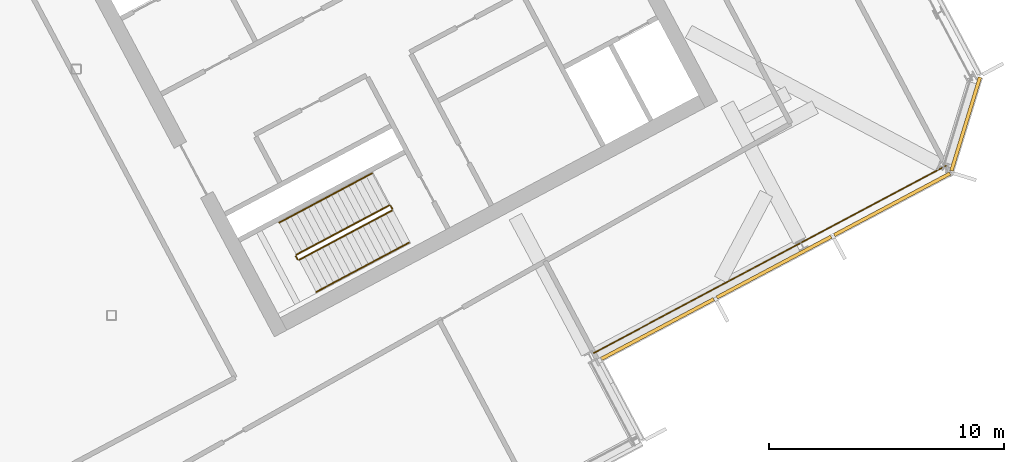
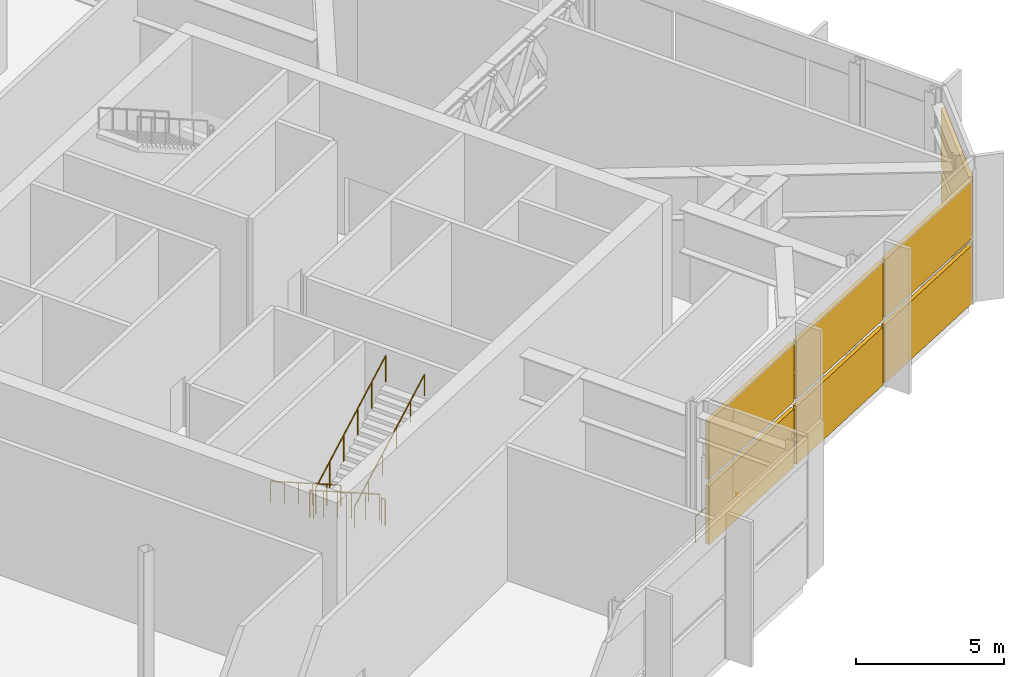
# One storey, part 30 of 33: 8 shading devices, 7 railings, 2 elements without a shape of their own.
"""IFC4 building model written with IfcOpenShell, lengths in metres."""

from ifc_helpers import new_model, si_unit, direction, frame, origin, origin_2d, place, context, subcontext, project, spatial, polyline, rectangle, outline, extrude, material, layer, layer_set, type_object, element, aggregate, save


model = new_model("IFC4")

# Units and contexts
model_context = context("Model", 3, precision=1e-05, world=origin(), true_north=direction((0.0, 1.0)))
body_context = subcontext(model_context, "Body", "Model", "MODEL_VIEW")
ifc_project = project(units=[si_unit("LENGTHUNIT", "METRE"), si_unit("AREAUNIT", "SQUARE_METRE"), si_unit("VOLUMEUNIT", "CUBIC_METRE"), si_unit("PLANEANGLEUNIT", "RADIAN"), si_unit("MASSUNIT", "GRAM", prefix="KILO")], contexts=[model_context])

# Site, building, storey
site_placement = place(None, origin())
site = spatial("IfcSite", under=ifc_project, at=site_placement, CompositionType="ELEMENT")
building_placement = place(site_placement, origin())
building = spatial("IfcBuilding", under=site, at=building_placement, Name="Cormorant Relay Tower", CompositionType="ELEMENT")
storey_placement = place(building_placement, frame((0.0, 0.0, 252.0)))
storey = spatial("IfcBuildingStorey", under=building, at=storey_placement, Name="L56", CompositionType="ELEMENT", Elevation=252.0)

# Railing
ifc_material_1 = material(Name="Stainless steel 316 guard", Category="steel")
railing_type_1 = type_object("IfcRailingType", Name="Band louvre guard 1100", PredefinedType="GUARDRAIL", material=ifc_material_1)
railing_1_placement = place(storey_placement, frame((32.562744140625, -1.60009765625, 0.0)))
element("IfcRailing", 1, at=railing_1_placement, inside=storey, type_object=railing_type_1, Name="CW4 guard 4", PredefinedType="GUARDRAIL", context=body_context, shape_type="SweptSolid", body=[
    extrude(outline(polyline([(0.022216796875, 0.00927734375), (0.00927734375, 0.022216796875), (-0.00927734375, 0.022216796875), (-0.022216796875, 0.00927734375), (-0.022216796875, -0.00927734375), (-0.00927734375, -0.022216796875), (0.00927734375, -0.022216796875), (0.022216796875, -0.00927734375), (0.022216796875, 0.00927734375)])), frame((0.0, 0.0, 1.076171875), z_axis=(0.882941803911, 0.469482450052, 0.0), x_axis=(-0.469482450052, 0.882941803911, 0.0)), (0.0, 0.0, 1.0), 17.0),
    extrude(outline(polyline([(0.019287109375, 0.008056640625), (0.008056640625, 0.019287109375), (-0.008056640625, 0.019287109375), (-0.019287109375, 0.008056640625), (-0.019287109375, -0.008056640625), (-0.008056640625, -0.019287109375), (0.008056640625, -0.019287109375), (0.019287109375, -0.008056640625), (0.019287109375, 0.008056640625)])), origin(), (0.0, 0.0, 1.0), 1.052001953125),
    extrude(outline(polyline([(0.019287109375, 0.008056640625), (0.008056640625, 0.019287109375), (-0.008056640625, 0.019287109375), (-0.019287109375, 0.008056640625), (-0.019287109375, -0.008056640625), (-0.008056640625, -0.019287109375), (0.008056640625, -0.019287109375), (0.019287109375, -0.008056640625), (0.019287109375, 0.008056640625)])), frame((1.000732421875, 0.531982421875, 0.0)), (0.0, 0.0, 1.0), 1.052001953125),
    extrude(outline(polyline([(0.019287109375, 0.008056640625), (0.008056640625, 0.019287109375), (-0.008056640625, 0.019287109375), (-0.019287109375, 0.008056640625), (-0.019287109375, -0.008056640625), (-0.008056640625, -0.019287109375), (0.008056640625, -0.019287109375), (0.019287109375, -0.008056640625), (0.019287109375, 0.008056640625)])), frame((2.001220703125, 1.064208984375, 0.0)), (0.0, 0.0, 1.0), 1.052001953125),
    extrude(outline(polyline([(0.019287109375, 0.008056640625), (0.008056640625, 0.019287109375), (-0.008056640625, 0.019287109375), (-0.019287109375, 0.008056640625), (-0.019287109375, -0.008056640625), (-0.008056640625, -0.019287109375), (0.008056640625, -0.019287109375), (0.019287109375, -0.008056640625), (0.019287109375, 0.008056640625)])), frame((3.001953125, 1.59619140625, 0.0)), (0.0, 0.0, 1.0), 1.052001953125),
    extrude(outline(polyline([(0.019287109375, 0.008056640625), (0.008056640625, 0.019287109375), (-0.008056640625, 0.019287109375), (-0.019287109375, 0.008056640625), (-0.019287109375, -0.008056640625), (-0.008056640625, -0.019287109375), (0.008056640625, -0.019287109375), (0.019287109375, -0.008056640625), (0.019287109375, 0.008056640625)])), frame((4.002685546875, 2.12841796875, 0.0)), (0.0, 0.0, 1.0), 1.052001953125),
    extrude(outline(polyline([(0.019287109375, 0.008056640625), (0.008056640625, 0.019287109375), (-0.008056640625, 0.019287109375), (-0.019287109375, 0.008056640625), (-0.019287109375, -0.008056640625), (-0.008056640625, -0.019287109375), (0.008056640625, -0.019287109375), (0.019287109375, -0.008056640625), (0.019287109375, 0.008056640625)])), frame((5.00341796875, 2.660400390625, 0.0)), (0.0, 0.0, 1.0), 1.052001953125),
    extrude(outline(polyline([(0.019287109375, 0.008056640625), (0.008056640625, 0.019287109375), (-0.008056640625, 0.019287109375), (-0.019287109375, 0.008056640625), (-0.019287109375, -0.008056640625), (-0.008056640625, -0.019287109375), (0.008056640625, -0.019287109375), (0.019287109375, -0.008056640625), (0.019287109375, 0.008056640625)])), frame((6.00390625, 3.1923828125, 0.0)), (0.0, 0.0, 1.0), 1.052001953125),
    extrude(outline(polyline([(0.019287109375, 0.008056640625), (0.008056640625, 0.019287109375), (-0.008056640625, 0.019287109375), (-0.019287109375, 0.008056640625), (-0.019287109375, -0.008056640625), (-0.008056640625, -0.019287109375), (0.008056640625, -0.019287109375), (0.019287109375, -0.008056640625), (0.019287109375, 0.008056640625)])), frame((7.004638671875, 3.724609375, 0.0)), (0.0, 0.0, 1.0), 1.052001953125),
    extrude(outline(polyline([(0.019287109375, 0.008056640625), (0.008056640625, 0.019287109375), (-0.008056640625, 0.019287109375), (-0.019287109375, 0.008056640625), (-0.019287109375, -0.008056640625), (-0.008056640625, -0.019287109375), (0.008056640625, -0.019287109375), (0.019287109375, -0.008056640625), (0.019287109375, 0.008056640625)])), frame((8.00537109375, 4.256591796875, 0.0)), (0.0, 0.0, 1.0), 1.052001953125),
    extrude(outline(polyline([(0.019287109375, 0.008056640625), (0.008056640625, 0.019287109375), (-0.008056640625, 0.019287109375), (-0.019287109375, 0.008056640625), (-0.019287109375, -0.008056640625), (-0.008056640625, -0.019287109375), (0.008056640625, -0.019287109375), (0.019287109375, -0.008056640625), (0.019287109375, 0.008056640625)])), frame((9.006103515625, 4.788818359375, 0.0)), (0.0, 0.0, 1.0), 1.052001953125),
    extrude(outline(polyline([(0.019287109375, 0.008056640625), (0.008056640625, 0.019287109375), (-0.008056640625, 0.019287109375), (-0.019287109375, 0.008056640625), (-0.019287109375, -0.008056640625), (-0.008056640625, -0.019287109375), (0.008056640625, -0.019287109375), (0.019287109375, -0.008056640625), (0.019287109375, 0.008056640625)])), frame((10.006591796875, 5.32080078125, 0.0)), (0.0, 0.0, 1.0), 1.052001953125),
    extrude(outline(polyline([(0.019287109375, 0.008056640625), (0.008056640625, 0.019287109375), (-0.008056640625, 0.019287109375), (-0.019287109375, 0.008056640625), (-0.019287109375, -0.008056640625), (-0.008056640625, -0.019287109375), (0.008056640625, -0.019287109375), (0.019287109375, -0.008056640625), (0.019287109375, 0.008056640625)])), frame((11.00732421875, 5.852783203125, 0.0)), (0.0, 0.0, 1.0), 1.052001953125),
    extrude(outline(polyline([(0.019287109375, 0.008056640625), (0.008056640625, 0.019287109375), (-0.008056640625, 0.019287109375), (-0.019287109375, 0.008056640625), (-0.019287109375, -0.008056640625), (-0.008056640625, -0.019287109375), (0.008056640625, -0.019287109375), (0.019287109375, -0.008056640625), (0.019287109375, 0.008056640625)])), frame((12.008056640625, 6.385009765625, 0.0)), (0.0, 0.0, 1.0), 1.052001953125),
    extrude(outline(polyline([(0.019287109375, 0.008056640625), (0.008056640625, 0.019287109375), (-0.008056640625, 0.019287109375), (-0.019287109375, 0.008056640625), (-0.019287109375, -0.008056640625), (-0.008056640625, -0.019287109375), (0.008056640625, -0.019287109375), (0.019287109375, -0.008056640625), (0.019287109375, 0.008056640625)])), frame((13.0087890625, 6.9169921875, 0.0)), (0.0, 0.0, 1.0), 1.052001953125),
    extrude(outline(polyline([(0.019287109375, 0.008056640625), (0.008056640625, 0.019287109375), (-0.008056640625, 0.019287109375), (-0.019287109375, 0.008056640625), (-0.019287109375, -0.008056640625), (-0.008056640625, -0.019287109375), (0.008056640625, -0.019287109375), (0.019287109375, -0.008056640625), (0.019287109375, 0.008056640625)])), frame((14.00927734375, 7.44921875, 0.0)), (0.0, 0.0, 1.0), 1.052001953125),
    extrude(outline(polyline([(0.019287109375, 0.008056640625), (0.008056640625, 0.019287109375), (-0.008056640625, 0.019287109375), (-0.019287109375, 0.008056640625), (-0.019287109375, -0.008056640625), (-0.008056640625, -0.019287109375), (0.008056640625, -0.019287109375), (0.019287109375, -0.008056640625), (0.019287109375, 0.008056640625)])), frame((15.010009765625, 7.981201171875, 0.0)), (0.0, 0.0, 1.0), 1.052001953125),
])

# Curtain wall, shading devices
ifc_material_2 = material(Name="Aluminium 6063-T6 anodised bronze", Category="aluminium")
ifc_layer = layer(ifc_material_2, 0.199951171875)
ifc_layer_set = layer_set([ifc_layer], Name="CW4 band louvre wall")
curtain_wall_type = type_object("IfcCurtainWallType", Name="CW4 band louvre wall", PredefinedType="NOTDEFINED", material=ifc_layer_set)
curtain_wall_1_placement = place(storey_placement, origin())
curtain_wall_1 = element("IfcCurtainWall", 2, at=curtain_wall_1_placement, inside=storey, type_object=curtain_wall_type, Name="CW4 curtain wall 4", PredefinedType="NOTDEFINED")
ifc_material_3 = material(Name="Aluminium 6063-T6 anodised bronze louvre", Category="aluminium")
shading_device_type = type_object("IfcShadingDeviceType", Name="CW4 bronze louvre bank 150 x 2400", PredefinedType="USERDEFINED", material=ifc_material_3)
shading_device_1_placement = place(storey_placement, frame((35.273681640625, -0.58349609375, 2.699951171875), z_axis=(0.0, 0.0, 1.0), x_axis=(0.882947592859, 0.469471562786, 0.0)))
shading_device_1 = element("IfcShadingDevice", 3, at=shading_device_1_placement, type_object=shading_device_type, Name="CW4 louvre bank U4.1", ObjectType="LOUVRE", PredefinedType="USERDEFINED", context=body_context, shape_type="SweptSolid", body=[
    extrude(rectangle(XDim=5.441650390625, YDim=0.14990234375, at=origin_2d()), origin(), (0.0, 0.0, 1.0), 2.39990234375),
])
shading_device_2_placement = place(storey_placement, frame((35.273681640625, -0.58349609375, 0.0), z_axis=(0.0, 0.0, 1.0), x_axis=(0.882947592859, 0.469471562786, 0.0)))
shading_device_2 = element("IfcShadingDevice", 4, at=shading_device_2_placement, type_object=shading_device_type, Name="CW4 louvre bank D4.1", ObjectType="LOUVRE", PredefinedType="USERDEFINED", context=body_context, shape_type="SweptSolid", body=[
    extrude(rectangle(XDim=5.441650390625, YDim=0.14990234375, at=origin_2d()), origin(), (0.0, 0.0, 1.0), 2.39990234375),
])
shading_device_3_placement = place(storey_placement, frame((40.243896484375, 2.059326171875, 2.699951171875), z_axis=(0.0, 0.0, 1.0), x_axis=(0.882947592859, 0.469471562786, 0.0)))
shading_device_3 = element("IfcShadingDevice", 5, at=shading_device_3_placement, type_object=shading_device_type, Name="CW4 louvre bank U4.2", ObjectType="LOUVRE", PredefinedType="USERDEFINED", context=body_context, shape_type="SweptSolid", body=[
    extrude(rectangle(XDim=5.5166015625, YDim=0.14990234375, at=origin_2d()), origin(), (0.0, 0.0, 1.0), 2.39990234375),
])
shading_device_4_placement = place(storey_placement, frame((40.243896484375, 2.059326171875, 0.0), z_axis=(0.0, 0.0, 1.0), x_axis=(0.882947592859, 0.469471562786, 0.0)))
shading_device_4 = element("IfcShadingDevice", 6, at=shading_device_4_placement, type_object=shading_device_type, Name="CW4 louvre bank D4.2", ObjectType="LOUVRE", PredefinedType="USERDEFINED", context=body_context, shape_type="SweptSolid", body=[
    extrude(rectangle(XDim=5.5166015625, YDim=0.14990234375, at=origin_2d()), origin(), (0.0, 0.0, 1.0), 2.39990234375),
])
shading_device_5_placement = place(storey_placement, frame((45.2802734375, 4.7373046875, 2.699951171875), z_axis=(0.0, 0.0, 1.0), x_axis=(0.882947592859, 0.469471562786, 0.0)))
shading_device_5 = element("IfcShadingDevice", 7, at=shading_device_5_placement, type_object=shading_device_type, Name="CW4 louvre bank U4.3", ObjectType="LOUVRE", PredefinedType="USERDEFINED", context=body_context, shape_type="SweptSolid", body=[
    extrude(rectangle(XDim=5.591796875, YDim=0.14990234375, at=origin_2d()), origin(), (0.0, 0.0, 1.0), 2.39990234375),
])
shading_device_6_placement = place(storey_placement, frame((45.2802734375, 4.7373046875, 0.0), z_axis=(0.0, 0.0, 1.0), x_axis=(0.882947592859, 0.469471562786, 0.0)))
shading_device_6 = element("IfcShadingDevice", 8, at=shading_device_6_placement, type_object=shading_device_type, Name="CW4 louvre bank D4.3", ObjectType="LOUVRE", PredefinedType="USERDEFINED", context=body_context, shape_type="SweptSolid", body=[
    extrude(rectangle(XDim=5.591796875, YDim=0.14990234375, at=origin_2d()), origin(), (0.0, 0.0, 1.0), 2.39990234375),
])
aggregate(curtain_wall_1, [shading_device_1, shading_device_2, shading_device_3, shading_device_4, shading_device_5, shading_device_6])

curtain_wall_2_placement = place(storey_placement, origin())
curtain_wall_2 = element("IfcCurtainWall", 9, at=curtain_wall_2_placement, inside=storey, type_object=curtain_wall_type, Name="CW4 curtain wall 5", PredefinedType="NOTDEFINED")
shading_device_7_placement = place(storey_placement, frame((48.41650390625, 8.15869140625, 2.699951171875), z_axis=(0.0, 0.0, 1.0), x_axis=(0.292371704723, 0.956304755963, 0.0)))
shading_device_7 = element("IfcShadingDevice", 10, at=shading_device_7_placement, type_object=shading_device_type, Name="CW4 louvre bank U5.1", ObjectType="LOUVRE", PredefinedType="USERDEFINED", context=body_context, shape_type="SweptSolid", body=[
    extrude(rectangle(XDim=4.16748046875, YDim=0.14990234375, at=origin_2d()), origin(), (0.0, 0.0, 1.0), 2.39990234375),
])
shading_device_8_placement = place(storey_placement, frame((48.41650390625, 8.15869140625, 0.0), z_axis=(0.0, 0.0, 1.0), x_axis=(0.292371704723, 0.956304755963, 0.0)))
shading_device_8 = element("IfcShadingDevice", 11, at=shading_device_8_placement, type_object=shading_device_type, Name="CW4 louvre bank D5.1", ObjectType="LOUVRE", PredefinedType="USERDEFINED", context=body_context, shape_type="SweptSolid", body=[
    extrude(rectangle(XDim=4.16748046875, YDim=0.14990234375, at=origin_2d()), origin(), (0.0, 0.0, 1.0), 2.39990234375),
])
aggregate(curtain_wall_2, [shading_device_7, shading_device_8])

# Railings
ifc_material_4 = material(Name="Steel ASTM A572 Grade 50 (Fy 345 MPa)", Category="steel")
railing_type_2 = type_object("IfcRailingType", Name="Stair guard 1100", PredefinedType="GUARDRAIL", material=ifc_material_4)
railing_2_placement = place(storey_placement, frame((23.83837890625, 4.6904296875, 0.176513671875)))
element("IfcRailing", 12, at=railing_2_placement, inside=storey, type_object=railing_type_2, Name="L56 B1 stair guard 1", PredefinedType="GUARDRAIL", context=body_context, shape_type="SweptSolid", body=[
    extrude(outline(polyline([(0.022216796875, 0.00927734375), (0.00927734375, 0.022216796875), (-0.00927734375, 0.022216796875), (-0.022216796875, 0.00927734375), (-0.022216796875, -0.00927734375), (-0.00927734375, -0.022216796875), (0.00927734375, -0.022216796875), (0.022216796875, -0.00927734375), (0.022216796875, 0.00927734375)])), frame((0.0, 0.0, 1.076171875), z_axis=(-0.746967351038, -0.397180825157, 0.533185866853), x_axis=(0.469481920044, -0.882942085729, 0.0)), (0.0, 0.0, 1.0), 5.29541015625),
    extrude(outline(polyline([(0.019287109375, 0.008056640625), (0.008056640625, 0.019287109375), (-0.008056640625, 0.019287109375), (-0.019287109375, 0.008056640625), (-0.019287109375, -0.008056640625), (-0.008056640625, -0.019287109375), (0.008056640625, -0.019287109375), (0.019287109375, -0.008056640625), (0.019287109375, 0.008056640625)])), origin(), (0.0, 0.0, 1.0), 1.052001953125),
    extrude(outline(polyline([(0.019287109375, 0.008056640625), (0.008056640625, 0.019287109375), (-0.008056640625, 0.019287109375), (-0.019287109375, 0.008056640625), (-0.019287109375, -0.008056640625), (-0.008056640625, -0.019287109375), (0.008056640625, -0.019287109375), (0.019287109375, -0.008056640625), (0.019287109375, 0.008056640625)])), frame((-0.791015625, -0.420654296875, 0.564697265625)), (0.0, 0.0, 1.0), 1.052001953125),
    extrude(outline(polyline([(0.019287109375, 0.008056640625), (0.008056640625, 0.019287109375), (-0.008056640625, 0.019287109375), (-0.019287109375, 0.008056640625), (-0.019287109375, -0.008056640625), (-0.008056640625, -0.019287109375), (0.008056640625, -0.019287109375), (0.019287109375, -0.008056640625), (0.019287109375, 0.008056640625)])), frame((-1.582275390625, -0.84130859375, 1.12939453125)), (0.0, 0.0, 1.0), 1.052001953125),
    extrude(outline(polyline([(0.019287109375, 0.008056640625), (0.008056640625, 0.019287109375), (-0.008056640625, 0.019287109375), (-0.019287109375, 0.008056640625), (-0.019287109375, -0.008056640625), (-0.008056640625, -0.019287109375), (0.008056640625, -0.019287109375), (0.019287109375, -0.008056640625), (0.019287109375, 0.008056640625)])), frame((-2.373291015625, -1.261962890625, 1.694091796875)), (0.0, 0.0, 1.0), 1.052001953125),
    extrude(outline(polyline([(0.019287109375, 0.008056640625), (0.008056640625, 0.019287109375), (-0.008056640625, 0.019287109375), (-0.019287109375, 0.008056640625), (-0.019287109375, -0.008056640625), (-0.008056640625, -0.019287109375), (0.008056640625, -0.019287109375), (0.019287109375, -0.008056640625), (0.019287109375, 0.008056640625)])), frame((-3.16455078125, -1.6826171875, 2.2587890625)), (0.0, 0.0, 1.0), 1.052001953125),
    extrude(outline(polyline([(0.019287109375, 0.008056640625), (0.008056640625, 0.019287109375), (-0.008056640625, 0.019287109375), (-0.019287109375, 0.008056640625), (-0.019287109375, -0.008056640625), (-0.008056640625, -0.019287109375), (0.008056640625, -0.019287109375), (0.019287109375, -0.008056640625), (0.019287109375, 0.008056640625)])), frame((-3.95556640625, -2.103271484375, 2.823486328125)), (0.0, 0.0, 1.0), 1.052001953125),
])
railing_3_placement = place(storey_placement, frame((19.862060546875, 2.51953125, 3.0)))
element("IfcRailing", 13, at=railing_3_placement, inside=storey, type_object=railing_type_2, Name="L56 B1 stair guard 2", PredefinedType="GUARDRAIL", context=body_context, shape_type="SweptSolid", body=[
    extrude(outline(polyline([(0.022216796875, 0.00927734375), (0.00927734375, 0.022216796875), (-0.00927734375, 0.022216796875), (-0.022216796875, 0.00927734375), (-0.022216796875, -0.00927734375), (-0.00927734375, -0.022216796875), (0.00927734375, -0.022216796875), (0.022216796875, -0.00927734375), (0.022216796875, 0.00927734375)])), frame((0.0, 0.0, 1.076171875), z_axis=(0.469234640946, -0.883073525669, 0.0), x_axis=(0.883073525669, 0.469234640946, 0.0)), (0.0, 0.0, 1.0), 0.14990234375),
    extrude(outline(polyline([(0.019287109375, 0.008056640625), (0.008056640625, 0.019287109375), (-0.008056640625, 0.019287109375), (-0.019287109375, 0.008056640625), (-0.019287109375, -0.008056640625), (-0.008056640625, -0.019287109375), (0.008056640625, -0.019287109375), (0.019287109375, -0.008056640625), (0.019287109375, 0.008056640625)])), origin(), (0.0, 0.0, 1.0), 1.052001953125),
    extrude(outline(polyline([(0.019287109375, 0.008056640625), (0.008056640625, 0.019287109375), (-0.008056640625, 0.019287109375), (-0.019287109375, 0.008056640625), (-0.019287109375, -0.008056640625), (-0.008056640625, -0.019287109375), (0.008056640625, -0.019287109375), (0.019287109375, -0.008056640625), (0.019287109375, 0.008056640625)])), frame((0.0703125, -0.13232421875, 0.0)), (0.0, 0.0, 1.0), 1.052001953125),
])
railing_4_placement = place(storey_placement, frame((20.0, 2.366455078125, 3.176513671875)))
element("IfcRailing", 14, at=railing_4_placement, inside=storey, type_object=railing_type_2, Name="L56 B1 stair guard 3", PredefinedType="GUARDRAIL", context=body_context, shape_type="SweptSolid", body=[
    extrude(outline(polyline([(0.022216796875, 0.00927734375), (0.00927734375, 0.022216796875), (-0.00927734375, 0.022216796875), (-0.022216796875, 0.00927734375), (-0.022216796875, -0.00927734375), (-0.00927734375, -0.022216796875), (0.00927734375, -0.022216796875), (0.022216796875, -0.00927734375), (0.022216796875, 0.00927734375)])), frame((0.0, 0.0, 1.076171875), z_axis=(0.746967351038, 0.397180825157, 0.533185866853), x_axis=(-0.469481920044, 0.882942085729, 0.0)), (0.0, 0.0, 1.0), 5.29541015625),
    extrude(outline(polyline([(0.019287109375, 0.008056640625), (0.008056640625, 0.019287109375), (-0.008056640625, 0.019287109375), (-0.019287109375, 0.008056640625), (-0.019287109375, -0.008056640625), (-0.008056640625, -0.019287109375), (0.008056640625, -0.019287109375), (0.019287109375, -0.008056640625), (0.019287109375, 0.008056640625)])), origin(), (0.0, 0.0, 1.0), 1.052001953125),
    extrude(outline(polyline([(0.019287109375, 0.008056640625), (0.008056640625, 0.019287109375), (-0.008056640625, 0.019287109375), (-0.019287109375, 0.008056640625), (-0.019287109375, -0.008056640625), (-0.008056640625, -0.019287109375), (0.008056640625, -0.019287109375), (0.019287109375, -0.008056640625), (0.019287109375, 0.008056640625)])), frame((0.791015625, 0.420654296875, 0.564697265625)), (0.0, 0.0, 1.0), 1.052001953125),
    extrude(outline(polyline([(0.019287109375, 0.008056640625), (0.008056640625, 0.019287109375), (-0.008056640625, 0.019287109375), (-0.019287109375, 0.008056640625), (-0.019287109375, -0.008056640625), (-0.008056640625, -0.019287109375), (0.008056640625, -0.019287109375), (0.019287109375, -0.008056640625), (0.019287109375, 0.008056640625)])), frame((1.582275390625, 0.84130859375, 1.12939453125)), (0.0, 0.0, 1.0), 1.052001953125),
    extrude(outline(polyline([(0.019287109375, 0.008056640625), (0.008056640625, 0.019287109375), (-0.008056640625, 0.019287109375), (-0.019287109375, 0.008056640625), (-0.019287109375, -0.008056640625), (-0.008056640625, -0.019287109375), (0.008056640625, -0.019287109375), (0.019287109375, -0.008056640625), (0.019287109375, 0.008056640625)])), frame((2.373291015625, 1.261962890625, 1.694091796875)), (0.0, 0.0, 1.0), 1.052001953125),
    extrude(outline(polyline([(0.019287109375, 0.008056640625), (0.008056640625, 0.019287109375), (-0.008056640625, 0.019287109375), (-0.019287109375, 0.008056640625), (-0.019287109375, -0.008056640625), (-0.008056640625, -0.019287109375), (0.008056640625, -0.019287109375), (0.019287109375, -0.008056640625), (0.019287109375, 0.008056640625)])), frame((3.16455078125, 1.6826171875, 2.2587890625)), (0.0, 0.0, 1.0), 1.052001953125),
    extrude(outline(polyline([(0.019287109375, 0.008056640625), (0.008056640625, 0.019287109375), (-0.008056640625, 0.019287109375), (-0.019287109375, 0.008056640625), (-0.019287109375, -0.008056640625), (-0.008056640625, -0.019287109375), (0.008056640625, -0.019287109375), (0.019287109375, -0.008056640625), (0.019287109375, 0.008056640625)])), frame((3.95556640625, 2.103271484375, 2.823486328125)), (0.0, 0.0, 1.0), 1.052001953125),
])
railing_5_placement = place(storey_placement, frame((23.906005859375, 4.669677734375, 0.0)))
element("IfcRailing", 15, at=railing_5_placement, inside=storey, type_object=railing_type_2, Name="L56 B1 stair guard 4", PredefinedType="GUARDRAIL", context=body_context, shape_type="SweptSolid", body=[
    extrude(outline(polyline([(0.022216796875, 0.00927734375), (0.00927734375, 0.022216796875), (-0.00927734375, 0.022216796875), (-0.022216796875, 0.00927734375), (-0.022216796875, -0.00927734375), (-0.00927734375, -0.022216796875), (0.00927734375, -0.022216796875), (0.022216796875, -0.00927734375), (0.022216796875, 0.00927734375)])), frame((0.0, 0.0, 1.076171875), z_axis=(0.469234640946, -0.883073525669, 0.0), x_axis=(0.883073525669, 0.469234640946, 0.0)), (0.0, 0.0, 1.0), 0.14990234375),
    extrude(outline(polyline([(0.019287109375, 0.008056640625), (0.008056640625, 0.019287109375), (-0.008056640625, 0.019287109375), (-0.019287109375, 0.008056640625), (-0.019287109375, -0.008056640625), (-0.008056640625, -0.019287109375), (0.008056640625, -0.019287109375), (0.019287109375, -0.008056640625), (0.019287109375, 0.008056640625)])), origin(), (0.0, 0.0, 1.0), 1.052001953125),
    extrude(outline(polyline([(0.019287109375, 0.008056640625), (0.008056640625, 0.019287109375), (-0.008056640625, 0.019287109375), (-0.019287109375, 0.008056640625), (-0.019287109375, -0.008056640625), (-0.008056640625, -0.019287109375), (0.008056640625, -0.019287109375), (0.019287109375, -0.008056640625), (0.019287109375, 0.008056640625)])), frame((0.0703125, -0.13232421875, 0.0)), (0.0, 0.0, 1.0), 1.052001953125),
])
ifc_material_5 = material(Name="Steel ASTM A572 Grade 50 (Fy 345 MPa)", Category="steel")
railing_type_3 = type_object("IfcRailingType", Name="Stair handrail 900", PredefinedType="HANDRAIL", material=ifc_material_5)
railing_6_placement = place(storey_placement, frame((23.110595703125, 6.05908203125, 0.176513671875)))
element("IfcRailing", 16, at=railing_6_placement, inside=storey, type_object=railing_type_3, Name="L56 B1 stair handrail 1", PredefinedType="HANDRAIL", context=body_context, shape_type="SweptSolid", body=[
    extrude(outline(polyline([(0.022216796875, 0.00927734375), (0.00927734375, 0.022216796875), (-0.00927734375, 0.022216796875), (-0.022216796875, 0.00927734375), (-0.022216796875, -0.00927734375), (-0.00927734375, -0.022216796875), (0.00927734375, -0.022216796875), (0.022216796875, -0.00927734375), (0.022216796875, 0.00927734375)])), frame((0.0, 0.0, 0.8759765625), z_axis=(-0.746967351038, -0.397180825157, 0.533185866853), x_axis=(0.469481920044, -0.882942085729, 0.0)), (0.0, 0.0, 1.0), 5.29541015625),
    extrude(outline(polyline([(0.019287109375, 0.008056640625), (0.008056640625, 0.019287109375), (-0.008056640625, 0.019287109375), (-0.019287109375, 0.008056640625), (-0.019287109375, -0.008056640625), (-0.008056640625, -0.019287109375), (0.008056640625, -0.019287109375), (0.019287109375, -0.008056640625), (0.019287109375, 0.008056640625)])), origin(), (0.0, 0.0, 1.0), 0.851806640625),
    extrude(outline(polyline([(0.019287109375, 0.008056640625), (0.008056640625, 0.019287109375), (-0.008056640625, 0.019287109375), (-0.019287109375, 0.008056640625), (-0.019287109375, -0.008056640625), (-0.008056640625, -0.019287109375), (0.008056640625, -0.019287109375), (0.019287109375, -0.008056640625), (0.019287109375, 0.008056640625)])), frame((-0.791015625, -0.420654296875, 0.564697265625)), (0.0, 0.0, 1.0), 0.851806640625),
    extrude(outline(polyline([(0.019287109375, 0.008056640625), (0.008056640625, 0.019287109375), (-0.008056640625, 0.019287109375), (-0.019287109375, 0.008056640625), (-0.019287109375, -0.008056640625), (-0.008056640625, -0.019287109375), (0.008056640625, -0.019287109375), (0.019287109375, -0.008056640625), (0.019287109375, 0.008056640625)])), frame((-1.582275390625, -0.84130859375, 1.12939453125)), (0.0, 0.0, 1.0), 0.851806640625),
    extrude(outline(polyline([(0.019287109375, 0.008056640625), (0.008056640625, 0.019287109375), (-0.008056640625, 0.019287109375), (-0.019287109375, 0.008056640625), (-0.019287109375, -0.008056640625), (-0.008056640625, -0.019287109375), (0.008056640625, -0.019287109375), (0.019287109375, -0.008056640625), (0.019287109375, 0.008056640625)])), frame((-2.373291015625, -1.261962890625, 1.694091796875)), (0.0, 0.0, 1.0), 0.851806640625),
    extrude(outline(polyline([(0.019287109375, 0.008056640625), (0.008056640625, 0.019287109375), (-0.008056640625, 0.019287109375), (-0.019287109375, 0.008056640625), (-0.019287109375, -0.008056640625), (-0.008056640625, -0.019287109375), (0.008056640625, -0.019287109375), (0.019287109375, -0.008056640625), (0.019287109375, 0.008056640625)])), frame((-3.16455078125, -1.6826171875, 2.2587890625)), (0.0, 0.0, 1.0), 0.851806640625),
    extrude(outline(polyline([(0.019287109375, 0.008056640625), (0.008056640625, 0.019287109375), (-0.008056640625, 0.019287109375), (-0.019287109375, 0.008056640625), (-0.019287109375, -0.008056640625), (-0.008056640625, -0.019287109375), (0.008056640625, -0.019287109375), (0.019287109375, -0.008056640625), (0.019287109375, 0.008056640625)])), frame((-3.95556640625, -2.103271484375, 2.823486328125)), (0.0, 0.0, 1.0), 0.851806640625),
])
railing_7_placement = place(storey_placement, frame((20.727783203125, 0.997802734375, 3.176513671875)))
element("IfcRailing", 17, at=railing_7_placement, inside=storey, type_object=railing_type_3, Name="L56 B1 stair handrail 2", PredefinedType="HANDRAIL", context=body_context, shape_type="SweptSolid", body=[
    extrude(outline(polyline([(0.022216796875, 0.00927734375), (0.00927734375, 0.022216796875), (-0.00927734375, 0.022216796875), (-0.022216796875, 0.00927734375), (-0.022216796875, -0.00927734375), (-0.00927734375, -0.022216796875), (0.00927734375, -0.022216796875), (0.022216796875, -0.00927734375), (0.022216796875, 0.00927734375)])), frame((0.0, 0.0, 0.8759765625), z_axis=(0.746967351038, 0.397180825157, 0.533185866853), x_axis=(-0.469481920044, 0.882942085729, 0.0)), (0.0, 0.0, 1.0), 5.29541015625),
    extrude(outline(polyline([(0.019287109375, 0.008056640625), (0.008056640625, 0.019287109375), (-0.008056640625, 0.019287109375), (-0.019287109375, 0.008056640625), (-0.019287109375, -0.008056640625), (-0.008056640625, -0.019287109375), (0.008056640625, -0.019287109375), (0.019287109375, -0.008056640625), (0.019287109375, 0.008056640625)])), origin(), (0.0, 0.0, 1.0), 0.851806640625),
    extrude(outline(polyline([(0.019287109375, 0.008056640625), (0.008056640625, 0.019287109375), (-0.008056640625, 0.019287109375), (-0.019287109375, 0.008056640625), (-0.019287109375, -0.008056640625), (-0.008056640625, -0.019287109375), (0.008056640625, -0.019287109375), (0.019287109375, -0.008056640625), (0.019287109375, 0.008056640625)])), frame((0.791015625, 0.420654296875, 0.564697265625)), (0.0, 0.0, 1.0), 0.851806640625),
    extrude(outline(polyline([(0.019287109375, 0.008056640625), (0.008056640625, 0.019287109375), (-0.008056640625, 0.019287109375), (-0.019287109375, 0.008056640625), (-0.019287109375, -0.008056640625), (-0.008056640625, -0.019287109375), (0.008056640625, -0.019287109375), (0.019287109375, -0.008056640625), (0.019287109375, 0.008056640625)])), frame((1.582275390625, 0.84130859375, 1.12939453125)), (0.0, 0.0, 1.0), 0.851806640625),
    extrude(outline(polyline([(0.019287109375, 0.008056640625), (0.008056640625, 0.019287109375), (-0.008056640625, 0.019287109375), (-0.019287109375, 0.008056640625), (-0.019287109375, -0.008056640625), (-0.008056640625, -0.019287109375), (0.008056640625, -0.019287109375), (0.019287109375, -0.008056640625), (0.019287109375, 0.008056640625)])), frame((2.373291015625, 1.261962890625, 1.694091796875)), (0.0, 0.0, 1.0), 0.851806640625),
    extrude(outline(polyline([(0.019287109375, 0.008056640625), (0.008056640625, 0.019287109375), (-0.008056640625, 0.019287109375), (-0.019287109375, 0.008056640625), (-0.019287109375, -0.008056640625), (-0.008056640625, -0.019287109375), (0.008056640625, -0.019287109375), (0.019287109375, -0.008056640625), (0.019287109375, 0.008056640625)])), frame((3.16455078125, 1.6826171875, 2.2587890625)), (0.0, 0.0, 1.0), 0.851806640625),
    extrude(outline(polyline([(0.019287109375, 0.008056640625), (0.008056640625, 0.019287109375), (-0.008056640625, 0.019287109375), (-0.019287109375, 0.008056640625), (-0.019287109375, -0.008056640625), (-0.008056640625, -0.019287109375), (0.008056640625, -0.019287109375), (0.019287109375, -0.008056640625), (0.019287109375, 0.008056640625)])), frame((3.95556640625, 2.103271484375, 2.823486328125)), (0.0, 0.0, 1.0), 0.851806640625),
])

save(model, "model.ifc")
